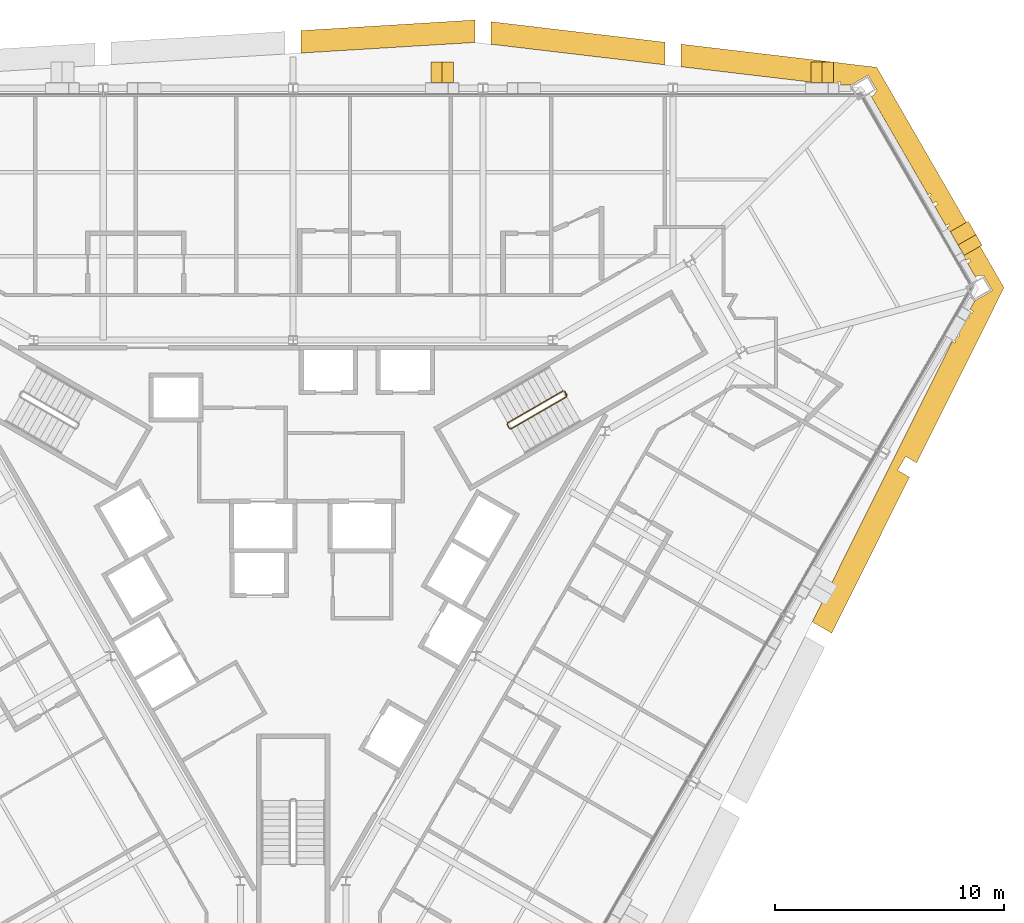
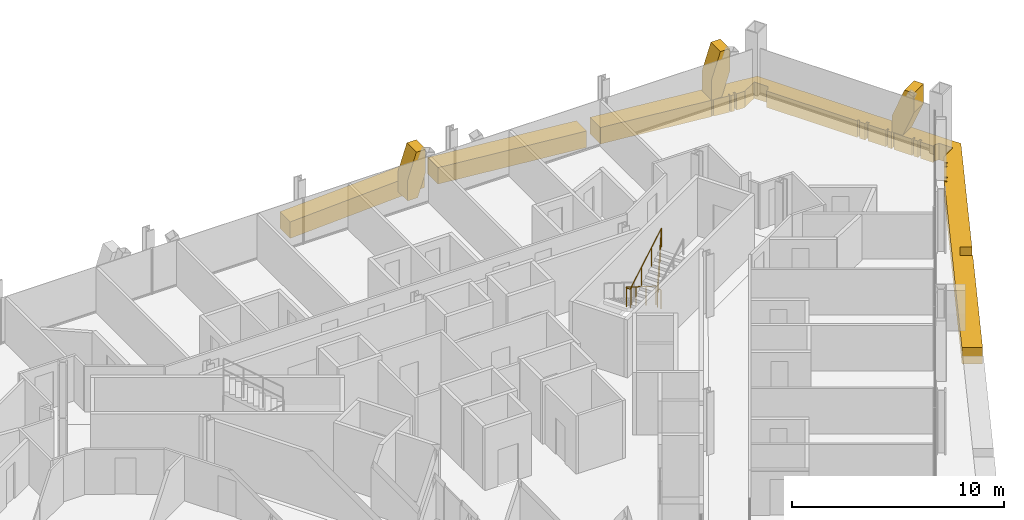
# One storey, part 17 of 17: 6 coverings, 1 railing.
"""IFC4 building model written with IfcOpenShell, lengths in metres."""

from ifc_helpers import new_model, si_unit, direction, frame, origin, origin_2d, place, context, subcontext, project, spatial, polyline, circle, outline, extrude, material, layer, layer_set, type_object, element, save


model = new_model("IFC4")

# Units and contexts
model_context = context("Model", 3, precision=1e-05, world=origin(), true_north=direction((0.0, 1.0)))
body_context = subcontext(model_context, "Body", "Model", "MODEL_VIEW")
ifc_project = project(units=[si_unit("LENGTHUNIT", "METRE"), si_unit("AREAUNIT", "SQUARE_METRE"), si_unit("VOLUMEUNIT", "CUBIC_METRE"), si_unit("PLANEANGLEUNIT", "RADIAN"), si_unit("MASSUNIT", "GRAM", prefix="KILO")], contexts=[model_context])

# Site, building, storey
site_placement = place(None, origin())
site = spatial("IfcSite", under=ifc_project, at=site_placement, CompositionType="ELEMENT")
building_placement = place(site_placement, origin())
building = spatial("IfcBuilding", under=site, at=building_placement, Name="Verrane Prism Tower", CompositionType="ELEMENT")
storey_placement = place(building_placement, frame((0.0, 0.0, 136.0)))
storey = spatial("IfcBuildingStorey", under=building, at=storey_placement, Name="L33", CompositionType="ELEMENT", Elevation=136.0)

# Railing
ifc_material_1 = material(Name="Steel A36 rail and posts, no infill", Category="steel")
railing_type = type_object("IfcRailingType", Name="Stair guard 1100 steel rail and posts", PredefinedType="GUARDRAIL", material=ifc_material_1)
railing_placement = place(storey_placement, frame((11.78955078125, 6.97998046875, 0.16357421875)))
element("IfcRailing", 1, at=railing_placement, inside=storey, type_object=railing_type, Name="Stair 1 guard", PredefinedType="GUARDRAIL", context=body_context, shape_type="SweptSolid", body=[
    extrude(circle(Radius=0.02392578125, at=origin_2d()), frame((0.0, 0.0, 1.076171875), z_axis=(-0.747665513933, -0.431721881032, 0.504591415616), x_axis=(0.500049511043, -0.865996816683, 0.0)), (0.0, 0.0, 1.0), 3.2431640625),
    extrude(circle(Radius=0.02392578125, at=origin_2d()), frame((-2.4248046875, -1.400146484375, 2.71240234375), z_axis=(-0.259601060869, -0.965715946433, 0.0), x_axis=(0.965715946433, -0.259601060869, 0.0)), (0.0, 0.0, 1.0), 0.070556640625),
    extrude(circle(Radius=0.02392578125, at=origin_2d()), frame((-2.443115234375, -1.46826171875, 2.71240234375), z_axis=(0.499158860599, -0.866510491504, 0.0), x_axis=(0.866510491504, 0.499158860599, 0.0)), (0.0, 0.0, 1.0), 0.199951171875),
    extrude(circle(Radius=0.02392578125, at=origin_2d()), frame((-2.34326171875, -1.6416015625, 2.71240234375), z_axis=(0.383552647116, -0.102737316192, 0.917786691313), x_axis=(0.258736085224, 0.965948051503, 0.0)), (0.0, 0.0, 1.0), 0.17822265625),
    extrude(circle(Radius=0.02392578125, at=origin_2d()), frame((-2.27490234375, -1.659912109375, 2.8759765625), z_axis=(0.747665513933, 0.431721881032, 0.504591415616), x_axis=(-0.500049511043, 0.865996816683, 0.0)), (0.0, 0.0, 1.0), 3.2431640625),
    extrude(circle(Radius=0.02392578125, at=origin_2d()), frame((0.14990234375, -0.259765625, 4.5126953125), z_axis=(-0.022593669287, 0.066901613547, -0.997503734436), x_axis=(-0.947430582667, -0.3199613899, 0.0)), (0.0, 0.0, 1.0), 3.609130859375),
    extrude(circle(Radius=0.02392578125, at=origin_2d()), frame((0.068359375, -0.018310546875, 0.91259765625), z_axis=(0.499158860599, -0.866510491504, 0.0), x_axis=(0.866510491504, 0.499158860599, 0.0)), (0.0, 0.0, 1.0), 0.199951171875),
    extrude(circle(Radius=0.02099609375, at=origin_2d()), origin(), (0.0, 0.0, 1.0), 1.052001953125),
    extrude(circle(Radius=0.02099609375, at=origin_2d()), frame((-0.808349609375, -0.466796875, 0.54541015625)), (0.0, 0.0, 1.0), 1.052001953125),
    extrude(circle(Radius=0.02099609375, at=origin_2d()), frame((-1.616455078125, -0.933349609375, 1.091064453125)), (0.0, 0.0, 1.0), 1.052001953125),
    extrude(circle(Radius=0.02099609375, at=origin_2d()), frame((-2.4248046875, -1.400146484375, 1.636474609375)), (0.0, 0.0, 1.0), 1.052001953125),
    extrude(circle(Radius=0.02099609375, at=origin_2d()), frame((-2.443115234375, -1.46826171875, 1.636474609375)), (0.0, 0.0, 1.0), 1.052001953125),
    extrude(circle(Radius=0.02099609375, at=origin_2d()), frame((-2.34326171875, -1.6416015625, 1.636474609375)), (0.0, 0.0, 1.0), 1.052001953125),
    extrude(circle(Radius=0.02099609375, at=origin_2d()), frame((-2.27490234375, -1.659912109375, 1.800048828125)), (0.0, 0.0, 1.0), 1.052001953125),
    extrude(circle(Radius=0.02099609375, at=origin_2d()), frame((-1.466552734375, -1.193115234375, 2.345458984375)), (0.0, 0.0, 1.0), 1.052001953125),
    extrude(circle(Radius=0.02099609375, at=origin_2d()), frame((-0.658447265625, -0.7265625, 2.89111328125)), (0.0, 0.0, 1.0), 1.052001953125),
    extrude(circle(Radius=0.02099609375, at=origin_2d()), frame((0.14990234375, -0.259765625, 3.4365234375)), (0.0, 0.0, 1.0), 1.052001953125),
    extrude(circle(Radius=0.02099609375, at=origin_2d()), frame((0.12939453125, -0.199462890625, 2.53662109375)), (0.0, 0.0, 1.0), 1.052001953125),
    extrude(circle(Radius=0.02099609375, at=origin_2d()), frame((0.109130859375, -0.13916015625, 1.636474609375)), (0.0, 0.0, 1.0), 1.052001953125),
    extrude(circle(Radius=0.02099609375, at=origin_2d()), frame((0.0888671875, -0.07861328125, 0.736328125)), (0.0, 0.0, 1.0), 1.052001953125),
    extrude(circle(Radius=0.02099609375, at=origin_2d()), frame((0.068359375, -0.018310546875, -0.16357421875)), (0.0, 0.0, 1.0), 1.052001953125),
    extrude(circle(Radius=0.02099609375, at=origin_2d()), frame((0.168212890625, -0.191650390625, -0.16357421875)), (0.0, 0.0, 1.0), 1.052001953125),
])

# Coverings
ifc_material_2 = material(Name="Warm limestone cladding", Category="masonry")
ifc_layer_1 = layer(ifc_material_2, 0.89990234375)
ifc_layer_set_1 = layer_set([ifc_layer_1], Name="Stone brace fin 900")
covering_type_1 = type_object("IfcCoveringType", Name="Stone brace fin 900", PredefinedType="CLADDING", material=ifc_layer_set_1)
covering_1_placement = place(storey_placement, frame((22.60595703125, 20.89404296875, 0.0), z_axis=(0.0, 0.0, 1.0), x_axis=(1.0, 0.0, 0.0)))
element("IfcCovering", 2, at=covering_1_placement, inside=storey, type_object=covering_type_1, Name="Stone brace fin N1 L33", PredefinedType="CLADDING", context=body_context, shape_type="SweptSolid", body=[
    extrude(outline(polyline([(0.99072265625, 2.64990234375), (0.47900390625, 2.64990234375), (0.0, 1.19580078125), (0.0, 0.0), (0.5537109375, 0.0), (0.99072265625, 1.3271484375), (0.99072265625, 2.64990234375)])), frame((0.0, 0.449951171875, 0.0), z_axis=(0.0, -1.0, 0.0), x_axis=(1.0, 0.0, 0.0)), (0.0, 0.0, 1.0), 0.89990234375),
])
covering_2_placement = place(storey_placement, frame((6.018798828125, 20.89404296875, 0.0), z_axis=(0.0, 0.0, 1.0), x_axis=(1.0, 0.0, 0.0)))
element("IfcCovering", 3, at=covering_2_placement, inside=storey, type_object=covering_type_1, Name="Stone brace fin N3 L33", PredefinedType="CLADDING", context=body_context, shape_type="SweptSolid", body=[
    extrude(outline(polyline([(0.989501953125, 2.64990234375), (0.477783203125, 2.64990234375), (0.0, 1.197509765625), (0.0, 0.0), (0.553466796875, 0.0), (0.989501953125, 1.32568359375), (0.989501953125, 2.64990234375)])), frame((0.0, 0.449951171875, 0.0), z_axis=(0.0, -1.0, 0.0), x_axis=(1.0, 0.0, 0.0)), (0.0, 0.0, 1.0), 0.89990234375),
])
covering_3_placement = place(storey_placement, frame((29.08349609375, 14.1572265625, 0.0), z_axis=(0.0, 0.0, 1.0), x_axis=(0.499546646484, -0.86628698939, 0.0)))
element("IfcCovering", 4, at=covering_3_placement, inside=storey, type_object=covering_type_1, Name="Stone brace fin NE1 L33", PredefinedType="CLADDING", context=body_context, shape_type="SweptSolid", body=[
    extrude(outline(polyline([(1.202392578125, 2.64990234375), (0.67431640625, 2.64990234375), (0.0, 0.9658203125), (0.0, 0.0), (0.582763671875, 0.0), (1.202392578125, 1.547119140625), (1.202392578125, 2.64990234375)])), frame((0.0, 0.449951171875, 0.0), z_axis=(0.0, -1.0, 0.0), x_axis=(1.0, 0.0, 0.0)), (0.0, 0.0, 1.0), 0.89990234375),
])
ifc_material_3 = material(Name="Warm limestone cladding", Category="masonry")
ifc_layer_2 = layer(ifc_material_3, 0.449951171875)
ifc_layer_set_2 = layer_set([ifc_layer_2], Name="Stone spandrel band 450")
covering_type_2 = type_object("IfcCoveringType", Name="Stone spandrel band 450", PredefinedType="CLADDING", material=ifc_layer_set_2)
covering_4_placement = place(storey_placement, frame((0.0, 0.0, -0.949951171875)))
element("IfcCovering", 5, at=covering_4_placement, inside=storey, type_object=covering_type_2, Name="Stone spandrel band L33 part 1", PredefinedType="CLADDING", context=body_context, shape_type="SweptSolid", body=[
    extrude(outline(polyline([(22.37255859375, 20.486083984375), (22.60595703125, 20.45849609375), (22.60595703125, 20.489990234375), (22.71875, 20.489990234375), (22.71875, 20.445068359375), (23.52587890625, 20.349609375), (23.52587890625, 20.489990234375), (23.5966796875, 20.489990234375), (23.5966796875, 20.34130859375), (23.748291015625, 20.323486328125), (23.7890625, 20.323486328125), (23.7890625, 20.489990234375), (23.898681640625, 20.489990234375), (23.898681640625, 20.323486328125), (24.35107421875, 20.323486328125), (25.105712890625, 20.759033203125), (25.485595703125, 20.100830078125), (25.466796875, 20.08984375), (25.352783203125, 19.8955078125), (25.23828125, 19.829345703125), (27.722412109375, 15.526611328125), (27.764404296875, 15.603271484375), (27.8466796875, 15.558349609375), (27.77734375, 15.431640625), (27.934814453125, 15.15869140625), (28.07958984375, 15.2421875), (28.148681640625, 15.122314453125), (28.00390625, 15.0390625), (28.494384765625, 14.189697265625), (28.638671875, 14.272705078125), (28.68017578125, 14.20068359375), (28.5361328125, 14.117431640625), (28.655517578125, 13.910400390625), (28.799560546875, 13.993408203125), (28.86865234375, 13.873779296875), (28.724609375, 13.790771484375), (29.215087890625, 12.94140625), (29.358642578125, 13.024169921875), (29.400146484375, 12.951904296875), (29.256591796875, 12.869140625), (29.37451171875, 12.6650390625), (29.51806640625, 12.747802734375), (29.585205078125, 12.631103515625), (29.44189453125, 12.548583984375), (29.790771484375, 11.944091796875), (29.901611328125, 12.008056640625), (30.126708984375, 12.008056640625), (30.145751953125, 12.01904296875), (30.525634765625, 11.36083984375), (29.777099609375, 10.9287109375), (29.548583984375, 10.533203125), (29.690673828125, 10.45068359375), (29.635498046875, 10.355712890625), (29.493896484375, 10.43798828125), (29.39794921875, 10.27197265625), (29.539794921875, 10.190185546875), (29.50439453125, 10.128662109375), (29.362548828125, 10.210693359375), (28.959716796875, 9.5126953125), (29.10205078125, 9.4306640625), (29.045654296875, 9.3330078125), (28.907470703125, 9.41259765625), (28.810546875, 9.21826171875), (28.92724609375, 9.1318359375), (28.8828125, 9.071533203125), (28.776611328125, 9.150146484375), (22.662353515625, -3.105224609375), (23.510986328125, -3.59521484375), (26.906494140625, 3.2109375), (26.38818359375, 3.51025390625), (26.73828125, 4.116455078125), (27.219482421875, 3.83837890625), (31.032958984375, 11.482177734375), (25.47802734375, 21.103759765625), (16.93408203125, 22.114013671875), (16.93408203125, 21.12890625), (22.363525390625, 20.487060546875), (22.372314453125, 20.488037109375), (22.37255859375, 20.486083984375)])), origin(), (0.0, 0.0, 1.0), 0.949951171875),
])
covering_5_placement = place(storey_placement, frame((0.0, 0.0, -0.949951171875)))
element("IfcCovering", 6, at=covering_5_placement, inside=storey, type_object=covering_type_2, Name="Stone spandrel band L33 part 6", PredefinedType="CLADDING", context=body_context, shape_type="SweptSolid", body=[
    extrude(outline(polyline([(8.64208984375, 22.109375), (16.234130859375, 21.2119140625), (16.234130859375, 22.19677734375), (8.64208984375, 23.09423828125), (8.64208984375, 22.109375)])), origin(), (0.0, 0.0, 1.0), 0.949951171875),
])
covering_6_placement = place(storey_placement, frame((0.0, 0.0, -0.949951171875)))
element("IfcCovering", 7, at=covering_6_placement, inside=storey, type_object=covering_type_2, Name="Stone spandrel band L33 part 11", PredefinedType="CLADDING", context=body_context, shape_type="SweptSolid", body=[
    extrude(outline(polyline([(0.35009765625, 22.706298828125), (0.35009765625, 21.7265625), (7.94189453125, 22.18896484375), (7.94189453125, 23.168701171875), (0.35009765625, 22.706298828125)])), origin(), (0.0, 0.0, 1.0), 0.949951171875),
])

save(model, "model.ifc")
